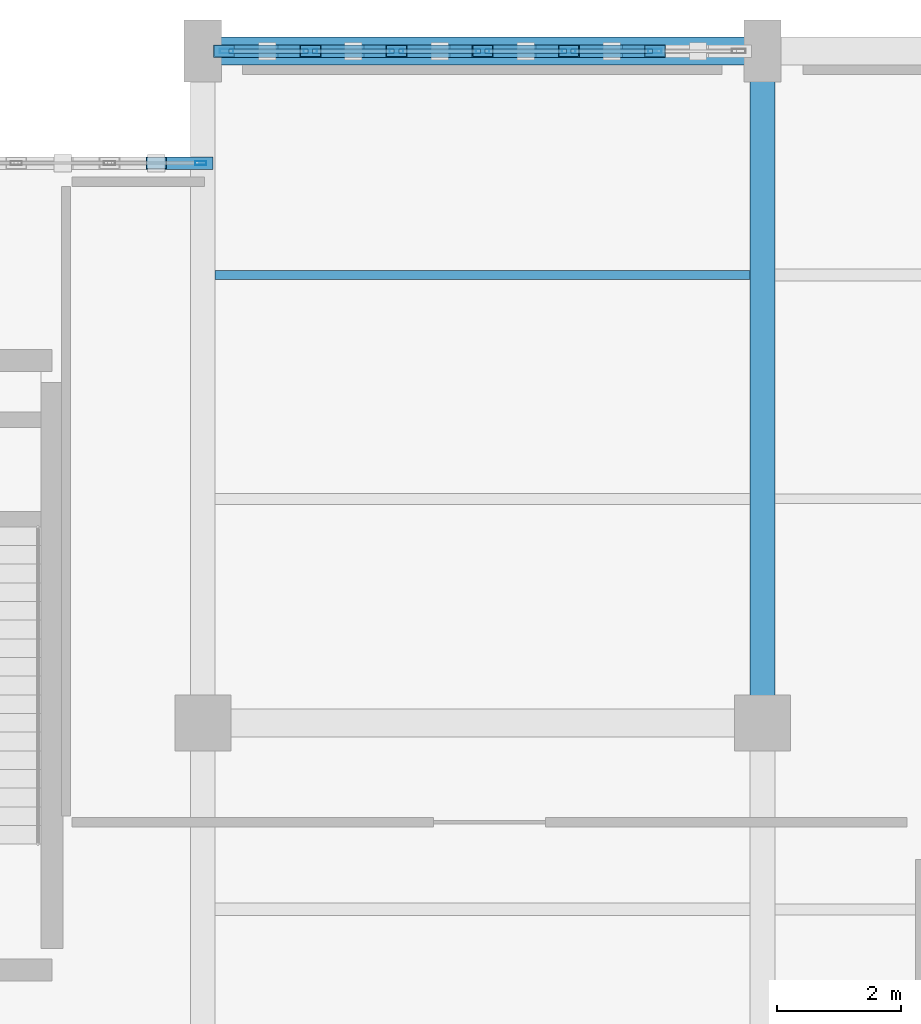
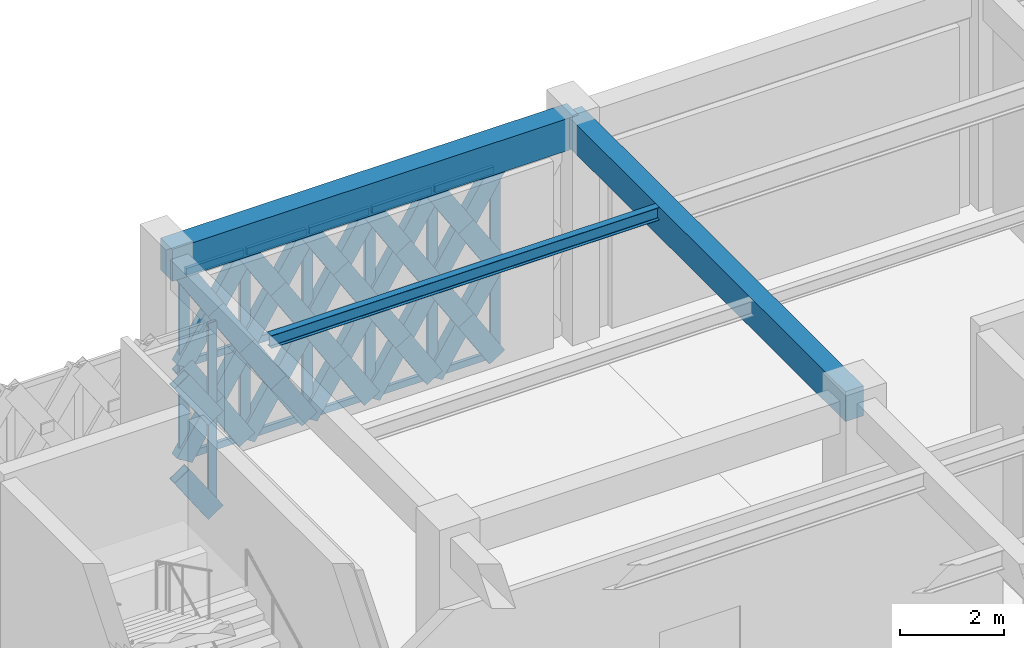
# One storey, part 89 of 166: 54 members, 3 beams, 2 elements without a shape of their own.
"""IFC4 building model written with IfcOpenShell, lengths in metres."""

from ifc_helpers import new_model, si_unit, direction, frame, origin, origin_2d, place, context, subcontext, project, spatial, rectangle, hollow_rectangle, i_section, extrude, material, material_profile, profile_set, type_object, element, aggregate, save


model = new_model("IFC4")

# Units and contexts
model_context = context("Model", 3, precision=1e-05, world=origin(), true_north=direction((0.0, 1.0)))
body_context = subcontext(model_context, "Body", "Model", "MODEL_VIEW")
ifc_project = project(units=[si_unit("LENGTHUNIT", "METRE"), si_unit("AREAUNIT", "SQUARE_METRE"), si_unit("VOLUMEUNIT", "CUBIC_METRE"), si_unit("PLANEANGLEUNIT", "RADIAN"), si_unit("MASSUNIT", "GRAM", prefix="KILO")], contexts=[model_context])

# Site, building, storey
site_placement = place(None, origin())
site = spatial("IfcSite", under=ifc_project, at=site_placement, CompositionType="ELEMENT")
building_placement = place(site_placement, origin())
building = spatial("IfcBuilding", under=site, at=building_placement, Name="Haizhuo Lancet Aquarium", CompositionType="ELEMENT")
storey_placement = place(building_placement, frame((0.0, 0.0, 5.39990234375)))
storey = spatial("IfcBuildingStorey", under=building, at=storey_placement, Name="L01", CompositionType="ELEMENT", Elevation=5.39990234375)

# Beams
ifc_material_1 = material(Name="Concrete C40/50", Category="concrete")
ifc_material_profile_1 = material_profile(ifc_material_1, rectangle(XDim=0.39990234375, YDim=0.699951171875, at=origin_2d()), Name="RC-BM 400x700")
ifc_profile_set_1 = profile_set([ifc_material_profile_1], Name="Concrete C40/50")
beam_type_1 = type_object("IfcBeamType", Name="BM-RC-400x700", PredefinedType="BEAM", material=ifc_profile_set_1)
beam_1_placement = place(storey_placement, frame((-9.0, 45.0, 4.7900390625), z_axis=(0.0, 1.0, 0.0), x_axis=(-1.0, 0.0, 0.0)))
element("IfcBeam", 1, at=beam_1_placement, inside=storey, type_object=beam_type_1, Name="L01 V5 primary girder BM-L01-V5-014", PredefinedType="BEAM", context=body_context, shape_type="SweptSolid", body=[
    extrude(rectangle(XDim=0.39990234375, YDim=0.699951171875, at=origin_2d()), origin(), (0.0, 0.0, 1.0), 10.800048828125),
])
ifc_material_profile_2 = material_profile(ifc_material_1, rectangle(XDim=0.449951171875, YDim=0.75, at=origin_2d()), Name="RC-BM 450x750")
ifc_profile_set_2 = profile_set([ifc_material_profile_2], Name="Concrete C40/50")
beam_type_2 = type_object("IfcBeamType", Name="BM-RC-450x750", PredefinedType="BEAM", material=ifc_profile_set_2)
beam_2_placement = place(storey_placement, frame((-18.0, 55.800048828125, 4.76513671875), z_axis=(1.0, 0.0, 0.0), x_axis=(0.0, 1.0, 0.0)))
element("IfcBeam", 2, at=beam_2_placement, inside=storey, type_object=beam_type_2, Name="L01 V5 primary girder BM-L01-V5-009", PredefinedType="BEAM", context=body_context, shape_type="SweptSolid", body=[
    extrude(rectangle(XDim=0.449951171875, YDim=0.75, at=origin_2d()), origin(), (0.0, 0.0, 1.0), 9.0),
])

# Curtain wall, member
ifc_material_2 = material(Name="Aluminium 6063-T6", Category="aluminium")
curtain_wall_type_1 = type_object("IfcCurtainWallType", Name="CWD-9000x4420", PredefinedType="NOTDEFINED", material=ifc_material_2)
curtain_wall_1_placement = place(storey_placement, origin())
curtain_wall_1 = element("IfcCurtainWall", 3, at=curtain_wall_1_placement, inside=storey, type_object=curtain_wall_type_1, Name="L01 curtain wall CW-V5-L01-130", PredefinedType="NOTDEFINED")
ifc_material_profile_3 = material_profile(ifc_material_2, hollow_rectangle(XDim=0.06494140625, YDim=0.179931640625, WallThickness=0.00390625, at=origin_2d()), Name="ALU-M 65x180x4")
ifc_profile_set_3 = profile_set([ifc_material_profile_3], Name="Aluminium 6063-T6")
member_type_1 = type_object("IfcMemberType", Name="CW-MUL-1", PredefinedType="MULLION", material=ifc_profile_set_3)
member_1_placement = place(storey_placement, frame((-18.031982421875, 54.0, 0.0), z_axis=(0.0, 0.0, 1.0), x_axis=(0.0, 1.0, 0.0)))
member_1 = element("IfcMember", 4, at=member_1_placement, type_object=member_type_1, Name="CWD-90x44 mullion 7", PredefinedType="MULLION", context=body_context, shape_type="SweptSolid", body=[
    extrude(hollow_rectangle(XDim=0.06494140625, YDim=0.179931640625, WallThickness=0.00390625, at=origin_2d()), origin(), (0.0, 0.0, 1.0), 4.425048828125),
])
aggregate(curtain_wall_1, [member_1])

# Curtain wall, members
curtain_wall_type_2 = type_object("IfcCurtainWallType", Name="CWD-8310x4390", PredefinedType="NOTDEFINED", material=ifc_material_2)
curtain_wall_2_placement = place(storey_placement, origin())
curtain_wall_2 = element("IfcCurtainWall", 5, at=curtain_wall_2_placement, inside=storey, type_object=curtain_wall_type_2, Name="L01 curtain wall CW-V5-L01-131", PredefinedType="NOTDEFINED")
ifc_material_profile_4 = material_profile(ifc_material_2, hollow_rectangle(XDim=0.074951171875, YDim=0.219970703125, WallThickness=0.0048828125, at=origin_2d()), Name="ALU-M 75x220x5")
ifc_profile_set_4 = profile_set([ifc_material_profile_4], Name="Aluminium 6063-T6")
member_type_2 = type_object("IfcMemberType", Name="CW-MUL-2", PredefinedType="MULLION", material=ifc_profile_set_4)
member_2_placement = place(storey_placement, frame((-17.616943359375, 55.800048828125, 0.0), z_axis=(0.0, 0.0, 1.0), x_axis=(0.0, 1.0, 0.0)))
member_2 = element("IfcMember", 6, at=member_2_placement, type_object=member_type_2, Name="CWD-83x43 mullion 1", PredefinedType="MULLION", context=body_context, shape_type="SweptSolid", body=[
    extrude(hollow_rectangle(XDim=0.074951171875, YDim=0.219970703125, WallThickness=0.0048828125, at=origin_2d()), origin(), (0.0, 0.0, 1.0), 4.39013671875),
])
member_3_placement = place(storey_placement, frame((-16.27001953125, 55.800048828125, 0.0), z_axis=(0.0, 0.0, 1.0), x_axis=(0.0, 1.0, 0.0)))
member_3 = element("IfcMember", 7, at=member_3_placement, type_object=member_type_2, Name="CWD-83x43 mullion 2", PredefinedType="MULLION", context=body_context, shape_type="SweptSolid", body=[
    extrude(hollow_rectangle(XDim=0.074951171875, YDim=0.219970703125, WallThickness=0.0048828125, at=origin_2d()), origin(), (0.0, 0.0, 1.0), 4.39013671875),
])
member_4_placement = place(storey_placement, frame((-14.885009765625, 55.800048828125, 0.0), z_axis=(0.0, 0.0, 1.0), x_axis=(0.0, 1.0, 0.0)))
member_4 = element("IfcMember", 8, at=member_4_placement, type_object=member_type_2, Name="CWD-83x43 mullion 3", PredefinedType="MULLION", context=body_context, shape_type="SweptSolid", body=[
    extrude(hollow_rectangle(XDim=0.074951171875, YDim=0.219970703125, WallThickness=0.0048828125, at=origin_2d()), origin(), (0.0, 0.0, 1.0), 4.39013671875),
])
member_5_placement = place(storey_placement, frame((-13.5, 55.800048828125, 0.0), z_axis=(0.0, 0.0, 1.0), x_axis=(0.0, 1.0, 0.0)))
member_5 = element("IfcMember", 9, at=member_5_placement, type_object=member_type_2, Name="CWD-83x43 mullion 4", PredefinedType="MULLION", context=body_context, shape_type="SweptSolid", body=[
    extrude(hollow_rectangle(XDim=0.074951171875, YDim=0.219970703125, WallThickness=0.0048828125, at=origin_2d()), origin(), (0.0, 0.0, 1.0), 4.39013671875),
])
member_6_placement = place(storey_placement, frame((-12.114990234375, 55.800048828125, 0.0), z_axis=(0.0, 0.0, 1.0), x_axis=(0.0, 1.0, 0.0)))
member_6 = element("IfcMember", 10, at=member_6_placement, type_object=member_type_2, Name="CWD-83x43 mullion 5", PredefinedType="MULLION", context=body_context, shape_type="SweptSolid", body=[
    extrude(hollow_rectangle(XDim=0.074951171875, YDim=0.219970703125, WallThickness=0.0048828125, at=origin_2d()), origin(), (0.0, 0.0, 1.0), 4.39013671875),
])
member_7_placement = place(storey_placement, frame((-10.72998046875, 55.800048828125, 0.0), z_axis=(0.0, 0.0, 1.0), x_axis=(0.0, 1.0, 0.0)))
member_7 = element("IfcMember", 11, at=member_7_placement, type_object=member_type_2, Name="CWD-83x43 mullion 6", PredefinedType="MULLION", context=body_context, shape_type="SweptSolid", body=[
    extrude(hollow_rectangle(XDim=0.074951171875, YDim=0.219970703125, WallThickness=0.0048828125, at=origin_2d()), origin(), (0.0, 0.0, 1.0), 4.39013671875),
])
ifc_material_profile_5 = material_profile(ifc_material_2, hollow_rectangle(XDim=0.074951171875, YDim=0.159912109375, WallThickness=0.00390625, at=origin_2d()), Name="ALU-T 75x160x4")
ifc_profile_set_5 = profile_set([ifc_material_profile_5], Name="Aluminium 6063-T6")
member_type_3 = type_object("IfcMemberType", Name="CW-TRN-2", PredefinedType="NOTDEFINED", material=ifc_profile_set_5)
member_8_placement = place(storey_placement, frame((-17.580078125, 55.800048828125, 0.0380859375), z_axis=(1.0, 0.0, 0.0), x_axis=(0.0, 1.0, 0.0)))
member_8 = element("IfcMember", 12, at=member_8_placement, type_object=member_type_3, Name="CWD-83x43 transom 1.1", ObjectType="TRANSOM", PredefinedType="USERDEFINED", context=body_context, shape_type="SweptSolid", body=[
    extrude(hollow_rectangle(XDim=0.074951171875, YDim=0.159912109375, WallThickness=0.00390625, at=origin_2d()), origin(), (0.0, 0.0, 1.0), 1.27197265625),
])
member_9_placement = place(storey_placement, frame((-17.580078125, 55.800048828125, 2.195068359375), z_axis=(1.0, 0.0, 0.0), x_axis=(0.0, 1.0, 0.0)))
member_9 = element("IfcMember", 13, at=member_9_placement, type_object=member_type_3, Name="CWD-83x43 transom 1.2", ObjectType="TRANSOM", PredefinedType="USERDEFINED", context=body_context, shape_type="SweptSolid", body=[
    extrude(hollow_rectangle(XDim=0.074951171875, YDim=0.159912109375, WallThickness=0.00390625, at=origin_2d()), origin(), (0.0, 0.0, 1.0), 1.27197265625),
])
member_10_placement = place(storey_placement, frame((-17.580078125, 55.800048828125, 4.35205078125), z_axis=(1.0, 0.0, 0.0), x_axis=(0.0, 1.0, 0.0)))
member_10 = element("IfcMember", 14, at=member_10_placement, type_object=member_type_3, Name="CWD-83x43 transom 1.3", ObjectType="TRANSOM", PredefinedType="USERDEFINED", context=body_context, shape_type="SweptSolid", body=[
    extrude(hollow_rectangle(XDim=0.074951171875, YDim=0.159912109375, WallThickness=0.00390625, at=origin_2d()), origin(), (0.0, 0.0, 1.0), 1.27197265625),
])
member_11_placement = place(storey_placement, frame((-16.23291015625, 55.800048828125, 0.0380859375), z_axis=(1.0, 0.0, 0.0), x_axis=(0.0, 1.0, 0.0)))
member_11 = element("IfcMember", 15, at=member_11_placement, type_object=member_type_3, Name="CWD-83x43 transom 2.1", ObjectType="TRANSOM", PredefinedType="USERDEFINED", context=body_context, shape_type="SweptSolid", body=[
    extrude(hollow_rectangle(XDim=0.074951171875, YDim=0.159912109375, WallThickness=0.00390625, at=origin_2d()), origin(), (0.0, 0.0, 1.0), 1.309814453125),
])
member_12_placement = place(storey_placement, frame((-16.23291015625, 55.800048828125, 2.195068359375), z_axis=(1.0, 0.0, 0.0), x_axis=(0.0, 1.0, 0.0)))
member_12 = element("IfcMember", 16, at=member_12_placement, type_object=member_type_3, Name="CWD-83x43 transom 2.2", ObjectType="TRANSOM", PredefinedType="USERDEFINED", context=body_context, shape_type="SweptSolid", body=[
    extrude(hollow_rectangle(XDim=0.074951171875, YDim=0.159912109375, WallThickness=0.00390625, at=origin_2d()), origin(), (0.0, 0.0, 1.0), 1.309814453125),
])
member_13_placement = place(storey_placement, frame((-16.23291015625, 55.800048828125, 4.35205078125), z_axis=(1.0, 0.0, 0.0), x_axis=(0.0, 1.0, 0.0)))
member_13 = element("IfcMember", 17, at=member_13_placement, type_object=member_type_3, Name="CWD-83x43 transom 2.3", ObjectType="TRANSOM", PredefinedType="USERDEFINED", context=body_context, shape_type="SweptSolid", body=[
    extrude(hollow_rectangle(XDim=0.074951171875, YDim=0.159912109375, WallThickness=0.00390625, at=origin_2d()), origin(), (0.0, 0.0, 1.0), 1.309814453125),
])
member_14_placement = place(storey_placement, frame((-14.847900390625, 55.800048828125, 0.0380859375), z_axis=(1.0, 0.0, 0.0), x_axis=(0.0, 1.0, 0.0)))
member_14 = element("IfcMember", 18, at=member_14_placement, type_object=member_type_3, Name="CWD-83x43 transom 3.1", ObjectType="TRANSOM", PredefinedType="USERDEFINED", context=body_context, shape_type="SweptSolid", body=[
    extrude(hollow_rectangle(XDim=0.074951171875, YDim=0.159912109375, WallThickness=0.00390625, at=origin_2d()), origin(), (0.0, 0.0, 1.0), 1.309814453125),
])
member_15_placement = place(storey_placement, frame((-14.847900390625, 55.800048828125, 2.195068359375), z_axis=(1.0, 0.0, 0.0), x_axis=(0.0, 1.0, 0.0)))
member_15 = element("IfcMember", 19, at=member_15_placement, type_object=member_type_3, Name="CWD-83x43 transom 3.2", ObjectType="TRANSOM", PredefinedType="USERDEFINED", context=body_context, shape_type="SweptSolid", body=[
    extrude(hollow_rectangle(XDim=0.074951171875, YDim=0.159912109375, WallThickness=0.00390625, at=origin_2d()), origin(), (0.0, 0.0, 1.0), 1.309814453125),
])
member_16_placement = place(storey_placement, frame((-14.847900390625, 55.800048828125, 4.35205078125), z_axis=(1.0, 0.0, 0.0), x_axis=(0.0, 1.0, 0.0)))
member_16 = element("IfcMember", 20, at=member_16_placement, type_object=member_type_3, Name="CWD-83x43 transom 3.3", ObjectType="TRANSOM", PredefinedType="USERDEFINED", context=body_context, shape_type="SweptSolid", body=[
    extrude(hollow_rectangle(XDim=0.074951171875, YDim=0.159912109375, WallThickness=0.00390625, at=origin_2d()), origin(), (0.0, 0.0, 1.0), 1.309814453125),
])
member_17_placement = place(storey_placement, frame((-13.462890625, 55.800048828125, 0.0380859375), z_axis=(1.0, 0.0, 0.0), x_axis=(0.0, 1.0, 0.0)))
member_17 = element("IfcMember", 21, at=member_17_placement, type_object=member_type_3, Name="CWD-83x43 transom 4.1", ObjectType="TRANSOM", PredefinedType="USERDEFINED", context=body_context, shape_type="SweptSolid", body=[
    extrude(hollow_rectangle(XDim=0.074951171875, YDim=0.159912109375, WallThickness=0.00390625, at=origin_2d()), origin(), (0.0, 0.0, 1.0), 1.310791015625),
])
member_18_placement = place(storey_placement, frame((-13.462890625, 55.800048828125, 2.195068359375), z_axis=(1.0, 0.0, 0.0), x_axis=(0.0, 1.0, 0.0)))
member_18 = element("IfcMember", 22, at=member_18_placement, type_object=member_type_3, Name="CWD-83x43 transom 4.2", ObjectType="TRANSOM", PredefinedType="USERDEFINED", context=body_context, shape_type="SweptSolid", body=[
    extrude(hollow_rectangle(XDim=0.074951171875, YDim=0.159912109375, WallThickness=0.00390625, at=origin_2d()), origin(), (0.0, 0.0, 1.0), 1.310791015625),
])
member_19_placement = place(storey_placement, frame((-13.462890625, 55.800048828125, 4.35205078125), z_axis=(1.0, 0.0, 0.0), x_axis=(0.0, 1.0, 0.0)))
member_19 = element("IfcMember", 23, at=member_19_placement, type_object=member_type_3, Name="CWD-83x43 transom 4.3", ObjectType="TRANSOM", PredefinedType="USERDEFINED", context=body_context, shape_type="SweptSolid", body=[
    extrude(hollow_rectangle(XDim=0.074951171875, YDim=0.159912109375, WallThickness=0.00390625, at=origin_2d()), origin(), (0.0, 0.0, 1.0), 1.310791015625),
])
member_20_placement = place(storey_placement, frame((-12.077880859375, 55.800048828125, 0.0380859375), z_axis=(1.0, 0.0, 0.0), x_axis=(0.0, 1.0, 0.0)))
member_20 = element("IfcMember", 24, at=member_20_placement, type_object=member_type_3, Name="CWD-83x43 transom 5.1", ObjectType="TRANSOM", PredefinedType="USERDEFINED", context=body_context, shape_type="SweptSolid", body=[
    extrude(hollow_rectangle(XDim=0.074951171875, YDim=0.159912109375, WallThickness=0.00390625, at=origin_2d()), origin(), (0.0, 0.0, 1.0), 1.309814453125),
])
member_21_placement = place(storey_placement, frame((-12.077880859375, 55.800048828125, 2.195068359375), z_axis=(1.0, 0.0, 0.0), x_axis=(0.0, 1.0, 0.0)))
member_21 = element("IfcMember", 25, at=member_21_placement, type_object=member_type_3, Name="CWD-83x43 transom 5.2", ObjectType="TRANSOM", PredefinedType="USERDEFINED", context=body_context, shape_type="SweptSolid", body=[
    extrude(hollow_rectangle(XDim=0.074951171875, YDim=0.159912109375, WallThickness=0.00390625, at=origin_2d()), origin(), (0.0, 0.0, 1.0), 1.309814453125),
])
member_22_placement = place(storey_placement, frame((-12.077880859375, 55.800048828125, 4.35205078125), z_axis=(1.0, 0.0, 0.0), x_axis=(0.0, 1.0, 0.0)))
member_22 = element("IfcMember", 26, at=member_22_placement, type_object=member_type_3, Name="CWD-83x43 transom 5.3", ObjectType="TRANSOM", PredefinedType="USERDEFINED", context=body_context, shape_type="SweptSolid", body=[
    extrude(hollow_rectangle(XDim=0.074951171875, YDim=0.159912109375, WallThickness=0.00390625, at=origin_2d()), origin(), (0.0, 0.0, 1.0), 1.309814453125),
])
aggregate(curtain_wall_2, [member_2, member_3, member_4, member_5, member_6, member_7, member_8, member_9, member_10, member_11, member_12, member_13, member_14, member_15, member_16, member_17, member_18, member_19, member_20, member_21, member_22])

# Beam
ifc_material_3 = material(Name="Steel S355", Category="steel")
ifc_material_profile_6 = material_profile(ifc_material_3, i_section(OverallWidth=0.14990234375, OverallDepth=0.300048828125, WebThickness=0.006591796875, FlangeThickness=0.009033203125, FilletRadius=0.012939453125, at=origin_2d()), Name="HN 300x150x6.5x9")
ifc_profile_set_6 = profile_set([ifc_material_profile_6], Name="Steel S355")
beam_type_3 = type_object("IfcBeamType", Name="JST-ST-HN300", PredefinedType="JOIST", material=ifc_profile_set_6)
beam_3_placement = place(storey_placement, frame((-17.800048828125, 52.199951171875, 4.989990234375), z_axis=(1.0, 0.0, 0.0), x_axis=(0.0, 1.0, 0.0)))
element("IfcBeam", 27, at=beam_3_placement, inside=storey, type_object=beam_type_3, Name="L01 V5 secondary floor joist 7", PredefinedType="JOIST", context=body_context, shape_type="SweptSolid", body=[
    extrude(i_section(OverallWidth=0.14990234375, OverallDepth=0.300048828125, WebThickness=0.006591796875, FlangeThickness=0.009033203125, FilletRadius=0.012939453125, at=origin_2d()), origin(), (0.0, 0.0, 1.0), 8.60009765625),
])

# Members
ifc_material_profile_7 = material_profile(ifc_material_3, hollow_rectangle(XDim=0.199951171875, YDim=0.39990234375, WallThickness=0.011962890625, at=origin_2d()), Name="RHS 200x400x12")
ifc_profile_set_7 = profile_set([ifc_material_profile_7], Name="Steel S355")
member_type_4 = type_object("IfcMemberType", Name="MEM-LB-RHS200x400", PredefinedType="BRACE", material=ifc_profile_set_7)
member_23_placement = place(storey_placement, frame((-18.0, 54.0, 0.0), z_axis=(-0.561175273292, 0.0, 0.827696993257), x_axis=(0.0, -1.0, 0.0)))
element("IfcMember", 28, at=member_23_placement, inside=storey, type_object=member_type_4, Name="Gothic lancet split diagonal brace CW-V5-L01-130 11B1", PredefinedType="BRACE", context=body_context, shape_type="SweptSolid", body=[
    extrude(hollow_rectangle(XDim=0.199951171875, YDim=0.39990234375, WallThickness=0.011962890625, at=origin_2d()), origin(), (0.0, 0.0, 1.0), 1.33642578125),
])
member_24_placement = place(storey_placement, frame((-18.0, 54.0, 2.212158203125), z_axis=(-0.561260132269, 0.0, 0.827639452857), x_axis=(0.0, -1.0, 0.0)))
element("IfcMember", 29, at=member_24_placement, inside=storey, type_object=member_type_4, Name="Gothic lancet split diagonal brace CW-V5-L01-130 12B1", PredefinedType="BRACE", context=body_context, shape_type="SweptSolid", body=[
    extrude(hollow_rectangle(XDim=0.199951171875, YDim=0.39990234375, WallThickness=0.011962890625, at=origin_2d()), origin(), (0.0, 0.0, 1.0), 1.336181640625),
])
member_25_placement = place(storey_placement, frame((-17.655029296875, 55.800048828125, 0.0), z_axis=(0.533621343044, 0.0, 0.845723514068), x_axis=(0.0, 1.0, 0.0)))
element("IfcMember", 30, at=member_25_placement, inside=storey, type_object=member_type_4, Name="Gothic lancet continuous diagonal brace CW-V5-L01-131 1A", PredefinedType="BRACE", context=body_context, shape_type="SweptSolid", body=[
    extrude(hollow_rectangle(XDim=0.199951171875, YDim=0.39990234375, WallThickness=0.011962890625, at=origin_2d()), origin(), (0.0, 0.0, 1.0), 2.595458984375),
])
member_26_placement = place(storey_placement, frame((-16.27001953125, 55.800048828125, 0.0), z_axis=(-0.533072666109, 0.0, 0.846069460888), x_axis=(0.0, -1.0, 0.0)))
element("IfcMember", 31, at=member_26_placement, inside=storey, type_object=member_type_4, Name="Gothic lancet split diagonal brace CW-V5-L01-131 1B1", PredefinedType="BRACE", context=body_context, shape_type="SweptSolid", body=[
    extrude(hollow_rectangle(XDim=0.199951171875, YDim=0.39990234375, WallThickness=0.011962890625, at=origin_2d()), origin(), (0.0, 0.0, 1.0), 1.2978515625),
])
member_27_placement = place(storey_placement, frame((-16.9619140625, 55.800048828125, 1.09814453125), z_axis=(-0.534169956473, 0.0, 0.845377109698), x_axis=(0.0, -1.0, 0.0)))
element("IfcMember", 32, at=member_27_placement, inside=storey, type_object=member_type_4, Name="Gothic lancet split diagonal brace CW-V5-L01-131 1B2", PredefinedType="BRACE", context=body_context, shape_type="SweptSolid", body=[
    extrude(hollow_rectangle(XDim=0.199951171875, YDim=0.39990234375, WallThickness=0.011962890625, at=origin_2d()), origin(), (0.0, 0.0, 1.0), 1.297607421875),
])
member_28_placement = place(storey_placement, frame((-17.655029296875, 55.800048828125, 2.195068359375), z_axis=(0.533621343044, 0.0, 0.845723514068), x_axis=(0.0, 1.0, 0.0)))
element("IfcMember", 33, at=member_28_placement, inside=storey, type_object=member_type_4, Name="Gothic lancet continuous diagonal brace CW-V5-L01-131 2A", PredefinedType="BRACE", context=body_context, shape_type="SweptSolid", body=[
    extrude(hollow_rectangle(XDim=0.199951171875, YDim=0.39990234375, WallThickness=0.011962890625, at=origin_2d()), origin(), (0.0, 0.0, 1.0), 2.595458984375),
])
member_29_placement = place(storey_placement, frame((-16.27001953125, 55.800048828125, 2.195068359375), z_axis=(-0.533497115598, 0.0, 0.845801884397), x_axis=(0.0, -1.0, 0.0)))
element("IfcMember", 34, at=member_29_placement, inside=storey, type_object=member_type_4, Name="Gothic lancet split diagonal brace CW-V5-L01-131 2B1", PredefinedType="BRACE", context=body_context, shape_type="SweptSolid", body=[
    extrude(hollow_rectangle(XDim=0.199951171875, YDim=0.39990234375, WallThickness=0.011962890625, at=origin_2d()), origin(), (0.0, 0.0, 1.0), 1.296875),
])
member_30_placement = place(storey_placement, frame((-16.9619140625, 55.800048828125, 3.2919921875), z_axis=(-0.533745397925, 0.0, 0.845645227146), x_axis=(0.0, -1.0, 0.0)))
element("IfcMember", 35, at=member_30_placement, inside=storey, type_object=member_type_4, Name="Gothic lancet split diagonal brace CW-V5-L01-131 2B2", PredefinedType="BRACE", context=body_context, shape_type="SweptSolid", body=[
    extrude(hollow_rectangle(XDim=0.199951171875, YDim=0.39990234375, WallThickness=0.011962890625, at=origin_2d()), origin(), (0.0, 0.0, 1.0), 1.298583984375),
])
member_31_placement = place(storey_placement, frame((-16.27001953125, 55.800048828125, 0.0), z_axis=(0.533621343044, 0.0, 0.845723514068), x_axis=(0.0, 1.0, 0.0)))
element("IfcMember", 36, at=member_31_placement, inside=storey, type_object=member_type_4, Name="Gothic lancet continuous diagonal brace CW-V5-L01-131 3A", PredefinedType="BRACE", context=body_context, shape_type="SweptSolid", body=[
    extrude(hollow_rectangle(XDim=0.199951171875, YDim=0.39990234375, WallThickness=0.011962890625, at=origin_2d()), origin(), (0.0, 0.0, 1.0), 2.595458984375),
])
member_32_placement = place(storey_placement, frame((-14.885009765625, 55.800048828125, 0.0), z_axis=(-0.533610932533, 0.0, 0.84573008264), x_axis=(0.0, -1.0, 0.0)))
element("IfcMember", 37, at=member_32_placement, inside=storey, type_object=member_type_4, Name="Gothic lancet split diagonal brace CW-V5-L01-131 3B1", PredefinedType="BRACE", context=body_context, shape_type="SweptSolid", body=[
    extrude(hollow_rectangle(XDim=0.199951171875, YDim=0.39990234375, WallThickness=0.011962890625, at=origin_2d()), origin(), (0.0, 0.0, 1.0), 1.29833984375),
])
member_33_placement = place(storey_placement, frame((-15.577880859375, 55.800048828125, 1.09814453125), z_axis=(-0.533631764898, 0.0, 0.845716938161), x_axis=(0.0, -1.0, 0.0)))
element("IfcMember", 38, at=member_33_placement, inside=storey, type_object=member_type_4, Name="Gothic lancet split diagonal brace CW-V5-L01-131 3B2", PredefinedType="BRACE", context=body_context, shape_type="SweptSolid", body=[
    extrude(hollow_rectangle(XDim=0.199951171875, YDim=0.39990234375, WallThickness=0.011962890625, at=origin_2d()), origin(), (0.0, 0.0, 1.0), 1.297119140625),
])
member_34_placement = place(storey_placement, frame((-16.27001953125, 55.800048828125, 2.195068359375), z_axis=(0.533621343044, 0.0, 0.845723514068), x_axis=(0.0, 1.0, 0.0)))
element("IfcMember", 39, at=member_34_placement, inside=storey, type_object=member_type_4, Name="Gothic lancet continuous diagonal brace CW-V5-L01-131 4A", PredefinedType="BRACE", context=body_context, shape_type="SweptSolid", body=[
    extrude(hollow_rectangle(XDim=0.199951171875, YDim=0.39990234375, WallThickness=0.011962890625, at=origin_2d()), origin(), (0.0, 0.0, 1.0), 2.595458984375),
])
member_35_placement = place(storey_placement, frame((-14.885009765625, 55.800048828125, 2.195068359375), z_axis=(-0.534035469411, 0.0, 0.845462073313), x_axis=(0.0, -1.0, 0.0)))
element("IfcMember", 40, at=member_35_placement, inside=storey, type_object=member_type_4, Name="Gothic lancet split diagonal brace CW-V5-L01-131 4B1", PredefinedType="BRACE", context=body_context, shape_type="SweptSolid", body=[
    extrude(hollow_rectangle(XDim=0.199951171875, YDim=0.39990234375, WallThickness=0.011962890625, at=origin_2d()), origin(), (0.0, 0.0, 1.0), 1.29736328125),
])
member_36_placement = place(storey_placement, frame((-15.577880859375, 55.800048828125, 3.2919921875), z_axis=(-0.533207293455, 0.0, 0.845984622914), x_axis=(0.0, -1.0, 0.0)))
element("IfcMember", 41, at=member_36_placement, inside=storey, type_object=member_type_4, Name="Gothic lancet split diagonal brace CW-V5-L01-131 4B2", PredefinedType="BRACE", context=body_context, shape_type="SweptSolid", body=[
    extrude(hollow_rectangle(XDim=0.199951171875, YDim=0.39990234375, WallThickness=0.011962890625, at=origin_2d()), origin(), (0.0, 0.0, 1.0), 1.298095703125),
])
member_37_placement = place(storey_placement, frame((-14.885009765625, 55.800048828125, 0.0), z_axis=(0.533621343044, 0.0, 0.845723514068), x_axis=(0.0, 1.0, 0.0)))
element("IfcMember", 42, at=member_37_placement, inside=storey, type_object=member_type_4, Name="Gothic lancet continuous diagonal brace CW-V5-L01-131 5A", PredefinedType="BRACE", context=body_context, shape_type="SweptSolid", body=[
    extrude(hollow_rectangle(XDim=0.199951171875, YDim=0.39990234375, WallThickness=0.011962890625, at=origin_2d()), origin(), (0.0, 0.0, 1.0), 2.595458984375),
])
member_38_placement = place(storey_placement, frame((-13.5, 55.800048828125, 0.0), z_axis=(-0.533072666109, 0.0, 0.846069460888), x_axis=(0.0, -1.0, 0.0)))
element("IfcMember", 43, at=member_38_placement, inside=storey, type_object=member_type_4, Name="Gothic lancet split diagonal brace CW-V5-L01-131 5B1", PredefinedType="BRACE", context=body_context, shape_type="SweptSolid", body=[
    extrude(hollow_rectangle(XDim=0.199951171875, YDim=0.39990234375, WallThickness=0.011962890625, at=origin_2d()), origin(), (0.0, 0.0, 1.0), 1.2978515625),
])
member_39_placement = place(storey_placement, frame((-14.19189453125, 55.800048828125, 1.09814453125), z_axis=(-0.534169956473, 0.0, 0.845377109698), x_axis=(0.0, -1.0, 0.0)))
element("IfcMember", 44, at=member_39_placement, inside=storey, type_object=member_type_4, Name="Gothic lancet split diagonal brace CW-V5-L01-131 5B2", PredefinedType="BRACE", context=body_context, shape_type="SweptSolid", body=[
    extrude(hollow_rectangle(XDim=0.199951171875, YDim=0.39990234375, WallThickness=0.011962890625, at=origin_2d()), origin(), (0.0, 0.0, 1.0), 1.297607421875),
])
member_40_placement = place(storey_placement, frame((-14.885009765625, 55.800048828125, 2.195068359375), z_axis=(0.533621343044, 0.0, 0.845723514068), x_axis=(0.0, 1.0, 0.0)))
element("IfcMember", 45, at=member_40_placement, inside=storey, type_object=member_type_4, Name="Gothic lancet continuous diagonal brace CW-V5-L01-131 6A", PredefinedType="BRACE", context=body_context, shape_type="SweptSolid", body=[
    extrude(hollow_rectangle(XDim=0.199951171875, YDim=0.39990234375, WallThickness=0.011962890625, at=origin_2d()), origin(), (0.0, 0.0, 1.0), 2.595458984375),
])
member_41_placement = place(storey_placement, frame((-13.5, 55.800048828125, 2.195068359375), z_axis=(-0.533497115598, 0.0, 0.845801884397), x_axis=(0.0, -1.0, 0.0)))
element("IfcMember", 46, at=member_41_placement, inside=storey, type_object=member_type_4, Name="Gothic lancet split diagonal brace CW-V5-L01-131 6B1", PredefinedType="BRACE", context=body_context, shape_type="SweptSolid", body=[
    extrude(hollow_rectangle(XDim=0.199951171875, YDim=0.39990234375, WallThickness=0.011962890625, at=origin_2d()), origin(), (0.0, 0.0, 1.0), 1.296875),
])
member_42_placement = place(storey_placement, frame((-14.19189453125, 55.800048828125, 3.2919921875), z_axis=(-0.533745397925, 0.0, 0.845645227146), x_axis=(0.0, -1.0, 0.0)))
element("IfcMember", 47, at=member_42_placement, inside=storey, type_object=member_type_4, Name="Gothic lancet split diagonal brace CW-V5-L01-131 6B2", PredefinedType="BRACE", context=body_context, shape_type="SweptSolid", body=[
    extrude(hollow_rectangle(XDim=0.199951171875, YDim=0.39990234375, WallThickness=0.011962890625, at=origin_2d()), origin(), (0.0, 0.0, 1.0), 1.298583984375),
])
member_43_placement = place(storey_placement, frame((-13.5, 55.800048828125, 0.0), z_axis=(0.533621343044, 0.0, 0.845723514068), x_axis=(0.0, 1.0, 0.0)))
element("IfcMember", 48, at=member_43_placement, inside=storey, type_object=member_type_4, Name="Gothic lancet continuous diagonal brace CW-V5-L01-131 7A", PredefinedType="BRACE", context=body_context, shape_type="SweptSolid", body=[
    extrude(hollow_rectangle(XDim=0.199951171875, YDim=0.39990234375, WallThickness=0.011962890625, at=origin_2d()), origin(), (0.0, 0.0, 1.0), 2.595458984375),
])
member_44_placement = place(storey_placement, frame((-12.114990234375, 55.800048828125, 0.0), z_axis=(-0.533745397925, 0.0, 0.845645227146), x_axis=(0.0, -1.0, 0.0)))
element("IfcMember", 49, at=member_44_placement, inside=storey, type_object=member_type_4, Name="Gothic lancet split diagonal brace CW-V5-L01-131 7B1", PredefinedType="BRACE", context=body_context, shape_type="SweptSolid", body=[
    extrude(hollow_rectangle(XDim=0.199951171875, YDim=0.39990234375, WallThickness=0.011962890625, at=origin_2d()), origin(), (0.0, 0.0, 1.0), 1.298583984375),
])
member_45_placement = place(storey_placement, frame((-12.80810546875, 55.800048828125, 1.09814453125), z_axis=(-0.533497115598, 0.0, 0.845801884397), x_axis=(0.0, -1.0, 0.0)))
element("IfcMember", 50, at=member_45_placement, inside=storey, type_object=member_type_4, Name="Gothic lancet split diagonal brace CW-V5-L01-131 7B2", PredefinedType="BRACE", context=body_context, shape_type="SweptSolid", body=[
    extrude(hollow_rectangle(XDim=0.199951171875, YDim=0.39990234375, WallThickness=0.011962890625, at=origin_2d()), origin(), (0.0, 0.0, 1.0), 1.296875),
])
member_46_placement = place(storey_placement, frame((-13.5, 55.800048828125, 2.195068359375), z_axis=(0.533621343044, 0.0, 0.845723514068), x_axis=(0.0, 1.0, 0.0)))
element("IfcMember", 51, at=member_46_placement, inside=storey, type_object=member_type_4, Name="Gothic lancet continuous diagonal brace CW-V5-L01-131 8A", PredefinedType="BRACE", context=body_context, shape_type="SweptSolid", body=[
    extrude(hollow_rectangle(XDim=0.199951171875, YDim=0.39990234375, WallThickness=0.011962890625, at=origin_2d()), origin(), (0.0, 0.0, 1.0), 2.595458984375),
])
member_47_placement = place(storey_placement, frame((-12.114990234375, 55.800048828125, 2.195068359375), z_axis=(-0.534169956473, 0.0, 0.845377109698), x_axis=(0.0, -1.0, 0.0)))
element("IfcMember", 52, at=member_47_placement, inside=storey, type_object=member_type_4, Name="Gothic lancet split diagonal brace CW-V5-L01-131 8B1", PredefinedType="BRACE", context=body_context, shape_type="SweptSolid", body=[
    extrude(hollow_rectangle(XDim=0.199951171875, YDim=0.39990234375, WallThickness=0.011962890625, at=origin_2d()), origin(), (0.0, 0.0, 1.0), 1.297607421875),
])
member_48_placement = place(storey_placement, frame((-12.80810546875, 55.800048828125, 3.2919921875), z_axis=(-0.533072666109, 0.0, 0.846069460888), x_axis=(0.0, -1.0, 0.0)))
element("IfcMember", 53, at=member_48_placement, inside=storey, type_object=member_type_4, Name="Gothic lancet split diagonal brace CW-V5-L01-131 8B2", PredefinedType="BRACE", context=body_context, shape_type="SweptSolid", body=[
    extrude(hollow_rectangle(XDim=0.199951171875, YDim=0.39990234375, WallThickness=0.011962890625, at=origin_2d()), origin(), (0.0, 0.0, 1.0), 1.2978515625),
])
member_49_placement = place(storey_placement, frame((-12.114990234375, 55.800048828125, 0.0), z_axis=(0.533621343044, 0.0, 0.845723514068), x_axis=(0.0, 1.0, 0.0)))
element("IfcMember", 54, at=member_49_placement, inside=storey, type_object=member_type_4, Name="Gothic lancet continuous diagonal brace CW-V5-L01-131 9A", PredefinedType="BRACE", context=body_context, shape_type="SweptSolid", body=[
    extrude(hollow_rectangle(XDim=0.199951171875, YDim=0.39990234375, WallThickness=0.011962890625, at=origin_2d()), origin(), (0.0, 0.0, 1.0), 2.595458984375),
])
member_50_placement = place(storey_placement, frame((-10.72998046875, 55.800048828125, 0.0), z_axis=(-0.533207293455, 0.0, 0.845984622914), x_axis=(0.0, -1.0, 0.0)))
element("IfcMember", 55, at=member_50_placement, inside=storey, type_object=member_type_4, Name="Gothic lancet split diagonal brace CW-V5-L01-131 9B1", PredefinedType="BRACE", context=body_context, shape_type="SweptSolid", body=[
    extrude(hollow_rectangle(XDim=0.199951171875, YDim=0.39990234375, WallThickness=0.011962890625, at=origin_2d()), origin(), (0.0, 0.0, 1.0), 1.298095703125),
])
member_51_placement = place(storey_placement, frame((-11.422119140625, 55.800048828125, 1.09814453125), z_axis=(-0.534035469411, 0.0, 0.845462073313), x_axis=(0.0, -1.0, 0.0)))
element("IfcMember", 56, at=member_51_placement, inside=storey, type_object=member_type_4, Name="Gothic lancet split diagonal brace CW-V5-L01-131 9B2", PredefinedType="BRACE", context=body_context, shape_type="SweptSolid", body=[
    extrude(hollow_rectangle(XDim=0.199951171875, YDim=0.39990234375, WallThickness=0.011962890625, at=origin_2d()), origin(), (0.0, 0.0, 1.0), 1.29736328125),
])
member_52_placement = place(storey_placement, frame((-12.114990234375, 55.800048828125, 2.195068359375), z_axis=(0.533621343044, 0.0, 0.845723514068), x_axis=(0.0, 1.0, 0.0)))
element("IfcMember", 57, at=member_52_placement, inside=storey, type_object=member_type_4, Name="Gothic lancet continuous diagonal brace CW-V5-L01-131 10A", PredefinedType="BRACE", context=body_context, shape_type="SweptSolid", body=[
    extrude(hollow_rectangle(XDim=0.199951171875, YDim=0.39990234375, WallThickness=0.011962890625, at=origin_2d()), origin(), (0.0, 0.0, 1.0), 2.595458984375),
])
member_53_placement = place(storey_placement, frame((-10.72998046875, 55.800048828125, 2.195068359375), z_axis=(-0.533631764898, 0.0, 0.845716938161), x_axis=(0.0, -1.0, 0.0)))
element("IfcMember", 58, at=member_53_placement, inside=storey, type_object=member_type_4, Name="Gothic lancet split diagonal brace CW-V5-L01-131 10B1", PredefinedType="BRACE", context=body_context, shape_type="SweptSolid", body=[
    extrude(hollow_rectangle(XDim=0.199951171875, YDim=0.39990234375, WallThickness=0.011962890625, at=origin_2d()), origin(), (0.0, 0.0, 1.0), 1.297119140625),
])
member_54_placement = place(storey_placement, frame((-11.422119140625, 55.800048828125, 3.2919921875), z_axis=(-0.533610932533, 0.0, 0.84573008264), x_axis=(0.0, -1.0, 0.0)))
element("IfcMember", 59, at=member_54_placement, inside=storey, type_object=member_type_4, Name="Gothic lancet split diagonal brace CW-V5-L01-131 10B2", PredefinedType="BRACE", context=body_context, shape_type="SweptSolid", body=[
    extrude(hollow_rectangle(XDim=0.199951171875, YDim=0.39990234375, WallThickness=0.011962890625, at=origin_2d()), origin(), (0.0, 0.0, 1.0), 1.29833984375),
])

save(model, "model.ifc")
